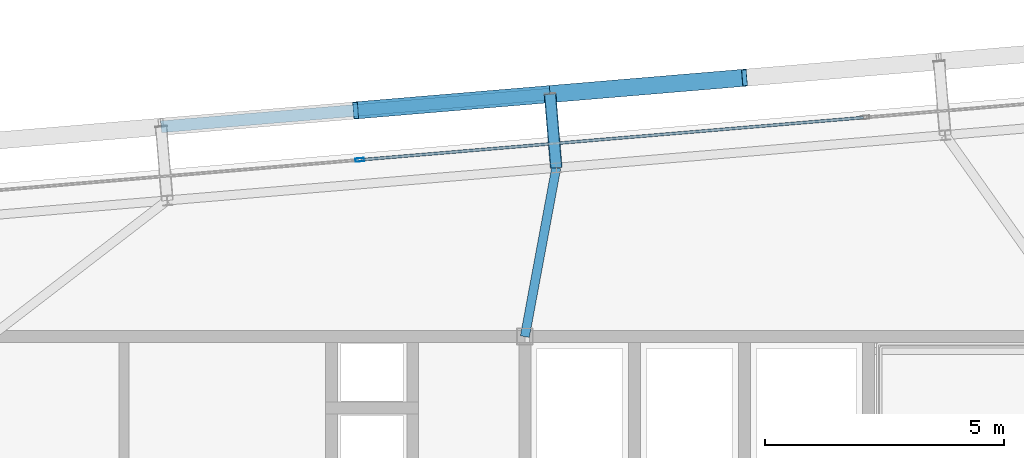
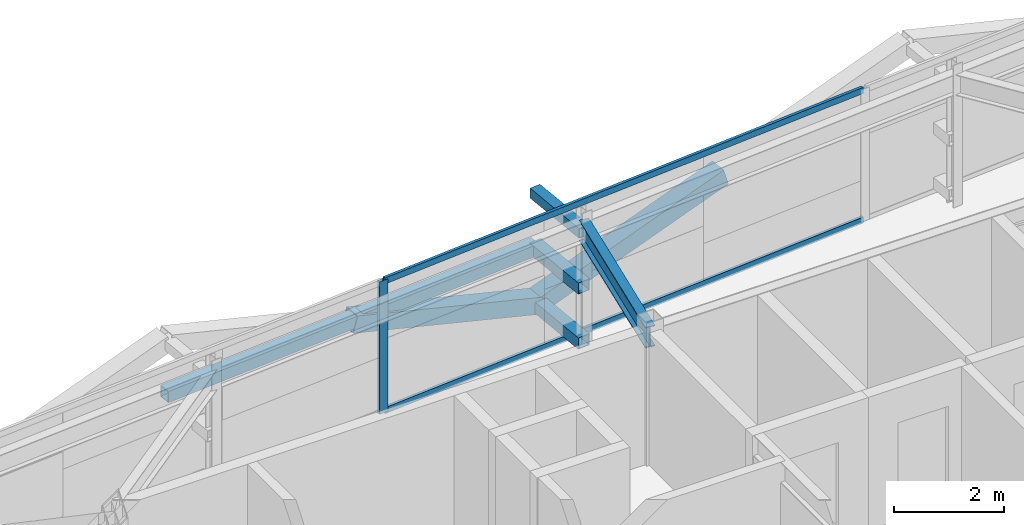
# One storey, part 23 of 39: 9 members, 1 beam, 1 element without a shape of its own.
"""IFC4 building model written with IfcOpenShell, lengths in metres."""

from ifc_helpers import new_model, si_unit, direction, frame, origin, origin_2d, place, context, subcontext, project, spatial, hollow_rectangle, i_section, extrude, source, transform, mapped, material, layer, layer_set, material_profile, profile_set, type_object, element, aggregate, save


model = new_model("IFC4")

# Units and contexts
model_context = context("Model", 3, precision=1e-05, world=origin(), true_north=direction((0.0, 1.0)))
body_context = subcontext(model_context, "Body", "Model", "MODEL_VIEW")
ifc_project = project(units=[si_unit("LENGTHUNIT", "METRE"), si_unit("AREAUNIT", "SQUARE_METRE"), si_unit("VOLUMEUNIT", "CUBIC_METRE"), si_unit("PLANEANGLEUNIT", "RADIAN"), si_unit("MASSUNIT", "GRAM", prefix="KILO")], contexts=[model_context])

# Site, building, storey
site_placement = place(None, origin())
site = spatial("IfcSite", under=ifc_project, at=site_placement, CompositionType="ELEMENT")
building_placement = place(site_placement, origin())
building = spatial("IfcBuilding", under=site, at=building_placement, Name="Taldren Reach Tower", CompositionType="ELEMENT")
storey_placement = place(building_placement, frame((0.0, 0.0, 175.699951171875)))
storey = spatial("IfcBuildingStorey", under=building, at=storey_placement, Name="L53", CompositionType="ELEMENT", Elevation=175.699951171875)

# Members
ifc_material_1 = material(Name="Steel Gr 350 (C350L0)", Category="steel")
ifc_material_profile_1 = material_profile(ifc_material_1, hollow_rectangle(XDim=0.25, YDim=0.25, WallThickness=0.010009765625, at=origin_2d()), Name="250x250x10.0SHS")
ifc_profile_set_1 = profile_set([ifc_material_profile_1], Name="Steel Gr 350 (C350L0)")
member_type_1 = type_object("IfcMemberType", Name="MB-POST250", PredefinedType="POST", material=ifc_profile_set_1)
shared_shape_1 = source(origin(), body_context, "Body", "SweptSolid", [
    extrude(hollow_rectangle(XDim=0.25, YDim=0.25, WallThickness=0.010009765625, at=origin_2d()), origin(), (0.0, 0.0, 1.0), 1.5498046875),
])
for number, where, z_axis, x_axis, name in (
    (1, (39.857666015625, 35.537109375, 0.219970703125), (-0.083645141657, 0.996495604746, 0.0), (-0.996495604746, -0.083645141657, 0.0), "Exoskeleton base diaphragm tie strut B4-N4 L53"),
    (2, (39.857666015625, 35.537109375, 1.43505859375), (-0.083645141657, 0.996495604746, 0.0), (-0.996495604746, -0.083645141657, 0.0), "Exoskeleton mid-tier diaphragm tie B4-N4 L53"),
):
    element("IfcMember", number, at=place(storey_placement, frame(where, z_axis=z_axis, x_axis=x_axis)), inside=storey, type_object=member_type_1, Name=name, PredefinedType="POST", context=body_context, shape_type="MappedRepresentation", body=[
        mapped(shared_shape_1, transform((0.0, 0.0, 0.0), scale=1.0)),
    ])

# Beam
ifc_material_2 = material(Name="Steel Gr 350 (350PLUS)", Category="steel")
ifc_material_profile_2 = material_profile(ifc_material_2, i_section(OverallWidth=0.19091796875, OverallDepth=0.4599609375, WebThickness=0.010009765625, FlangeThickness=0.01611328125, at=origin_2d()), Name="460UB82.1")
ifc_profile_set_2 = profile_set([ifc_material_profile_2], Name="Steel Gr 350 (350PLUS)")
beam_type = type_object("IfcBeamType", Name="BM-UB460A", PredefinedType="BEAM", material=ifc_profile_set_2)
shared_shape_2 = source(origin(), body_context, "Body", "SweptSolid", [
    extrude(i_section(OverallWidth=0.19091796875, OverallDepth=0.4599609375, WebThickness=0.010009765625, FlangeThickness=0.01611328125, at=origin_2d()), origin(), (0.0, 0.0, 1.0), 3.59765625),
])
beam_placement = place(storey_placement, frame((39.199951171875, 32.0, 2.699951171875), z_axis=(0.182813344882, 0.983147639438, 0.0), x_axis=(-0.983147639438, 0.182813344882, 0.0)))
element("IfcBeam", 3, at=beam_placement, inside=storey, type_object=beam_type, Name="Primary floor girder B4-N4 L53", PredefinedType="BEAM", context=body_context, shape_type="MappedRepresentation", body=[
    mapped(shared_shape_2, transform((0.0, 0.0, 0.0), scale=1.0)),
])

# Members
ifc_material_3 = material(Name="Steel Gr 450 (C450L0)", Category="steel")
ifc_material_profile_3 = material_profile(ifc_material_3, hollow_rectangle(XDim=0.219970703125, YDim=0.219970703125, WallThickness=0.00830078125, at=origin_2d()), Name="220x220x8.2SHS")
ifc_profile_set_3 = profile_set([ifc_material_profile_3], Name="Steel Gr 450 (C450L0)")
member_type_2 = type_object("IfcMemberType", Name="MB-TIE219", PredefinedType="STRUT", material=ifc_profile_set_3)
shared_shape_3 = source(origin(), body_context, "Body", "SweptSolid", [
    extrude(hollow_rectangle(XDim=0.219970703125, YDim=0.219970703125, WallThickness=0.00830078125, at=origin_2d()), origin(), (0.0, 0.0, 1.0), 1.5498046875),
])
member_1_placement = place(storey_placement, frame((39.857666015625, 35.537109375, 2.650146484375), z_axis=(-0.083645141657, 0.996495604746, 0.0), x_axis=(-0.996495604746, -0.083645141657, 0.0)))
element("IfcMember", 4, at=member_1_placement, inside=storey, type_object=member_type_2, Name="Exoskeleton diaphragm tie strut B4-N4 L53", PredefinedType="STRUT", context=body_context, shape_type="MappedRepresentation", body=[
    mapped(shared_shape_3, transform((0.0, 0.0, 0.0), scale=1.0)),
])
shared_shape_4 = source(origin(), body_context, "Body", "SweptSolid", [
    extrude(hollow_rectangle(XDim=0.25, YDim=0.25, WallThickness=0.010009765625, at=origin_2d()), origin(), (0.0, 0.0, 1.0), 8.18017578125),
])
member_2_placement = place(storey_placement, frame((31.57666015625, 36.39697265625, 1.43505859375), z_axis=(0.996492034688, 0.083687662192, 0.0), x_axis=(-0.083687662192, 0.996492034688, 0.0)))
element("IfcMember", 5, at=member_2_placement, inside=storey, type_object=member_type_1, Name="Exoskeleton mid-height ring chord B4-N3 L53", PredefinedType="POST", context=body_context, shape_type="MappedRepresentation", body=[
    mapped(shared_shape_4, transform((0.0, 0.0, 0.0), scale=1.0)),
])
ifc_material_profile_4 = material_profile(ifc_material_3, hollow_rectangle(XDim=0.360107421875, YDim=0.360107421875, WallThickness=0.0126953125, at=origin_2d()), Name="360x360x12.7SHS")
ifc_profile_set_4 = profile_set([ifc_material_profile_4], Name="Steel Gr 450 (C450L0)")
member_type_3 = type_object("IfcMemberType", Name="MB-EXO356", PredefinedType="BRACE", material=ifc_profile_set_4)
shared_shape_5 = source(origin(), body_context, "Body", "SweptSolid", [
    extrude(hollow_rectangle(XDim=0.360107421875, YDim=0.360107421875, WallThickness=0.0126953125, at=origin_2d()), origin(), (0.0, 0.0, 1.0), 4.2666015625),
])
for number, where, z_axis, x_axis, name in (
    (6, (39.72802734375, 37.08154296875, 0.219970703125), (-0.955229159097, -0.080222312271, 0.284783486572), (0.083687662192, -0.996492034688, 0.0), "Exoskeleton Diagrid Brace B4-N3 L53"),
    (7, (39.72802734375, 37.08154296875, 0.219970703125), (0.955229159097, 0.080222312271, 0.284783486572), (-0.083687662192, 0.996492034688, 0.0), "Exoskeleton Diagrid Brace B4-N4 L53"),
):
    element("IfcMember", number, at=place(storey_placement, frame(where, z_axis=z_axis, x_axis=x_axis)), inside=storey, type_object=member_type_3, Name=name, PredefinedType="BRACE", context=body_context, shape_type="MappedRepresentation", body=[
        mapped(shared_shape_5, transform((0.0, 0.0, 0.0), scale=1.0)),
    ])

# Curtain wall, members
ifc_material_4 = material(Name="Aluminium and Low-E Glass Unitised System", Category="aluminium")
ifc_layer = layer(ifc_material_4, 0.159912109375)
ifc_layer_set = layer_set([ifc_layer], Name="Aluminium and Low-E Glass Unitised System")
curtain_wall_type = type_object("IfcCurtainWallType", Name="CW-SYS-5", PredefinedType="NOTDEFINED", material=ifc_layer_set)
curtain_wall_placement = place(storey_placement, origin())
curtain_wall = element("IfcCurtainWall", 8, at=curtain_wall_placement, inside=storey, type_object=curtain_wall_type, Name="Unitised curtain wall CW-L53-N", PredefinedType="NOTDEFINED")
ifc_material_5 = material(Name="Anodised Aluminium 6063-T6", Category="aluminium")
ifc_material_profile_5 = material_profile(ifc_material_5, hollow_rectangle(XDim=0.070068359375, YDim=0.179931640625, WallThickness=0.00390625, at=origin_2d()), Name="ALU-180x70x4RHS")
ifc_profile_set_5 = profile_set([ifc_material_profile_5], Name="Anodised Aluminium 6063-T6")
member_type_4 = type_object("IfcMemberType", Name="CW-MUL-180", PredefinedType="MULLION", material=ifc_profile_set_5)
shared_shape_6 = source(origin(), body_context, "Body", "SweptSolid", [
    extrude(hollow_rectangle(XDim=0.070068359375, YDim=0.179931640625, WallThickness=0.00390625, at=origin_2d()), origin(), (0.0, 0.0, 1.0), 2.929931640625),
])
member_3_placement = place(storey_placement, frame((35.739501953125, 35.702880859375, 0.0), z_axis=(0.0, 0.0, 1.0), x_axis=(0.083677875247, -0.99649285657, 0.0)))
member_3 = element("IfcMember", 9, at=member_3_placement, type_object=member_type_4, Name="CW-5 mullion 3", PredefinedType="MULLION", context=body_context, shape_type="MappedRepresentation", body=[
    mapped(shared_shape_6, transform((0.0, 0.0, 0.0), scale=1.0)),
])
ifc_material_profile_6 = material_profile(ifc_material_5, hollow_rectangle(XDim=0.06005859375, YDim=0.135009765625, WallThickness=0.00341796875, at=origin_2d()), Name="ALU-135x60x3.5RHS")
ifc_profile_set_6 = profile_set([ifc_material_profile_6], Name="Anodised Aluminium 6063-T6")
member_type_5 = type_object("IfcMemberType", Name="CW-TRN-150", PredefinedType="USERDEFINED", material=ifc_profile_set_6)
shared_shape_7 = source(origin(), body_context, "Body", "SweptSolid", [
    extrude(hollow_rectangle(XDim=0.06005859375, YDim=0.135009765625, WallThickness=0.00341796875, at=origin_2d()), origin(), (0.0, 0.0, 1.0), 10.55517578125),
])
member_4_placement = place(storey_placement, frame((46.292236328125, 36.589111328125, 0.030029296875), z_axis=(-0.996492274094, -0.083684811468, 0.0), x_axis=(0.083684811468, -0.996492274094, 0.0)))
member_4 = element("IfcMember", 10, at=member_4_placement, type_object=member_type_5, Name="CW-5 transom 2.1", ObjectType="TRANSOM", PredefinedType="USERDEFINED", context=body_context, shape_type="MappedRepresentation", body=[
    mapped(shared_shape_7, transform((0.0, 0.0, 0.0), scale=1.0)),
])
member_5_placement = place(storey_placement, frame((46.292236328125, 36.589111328125, 2.900146484375), z_axis=(-0.996492274094, -0.083684811468, 0.0), x_axis=(0.083684811468, -0.996492274094, 0.0)))
member_5 = element("IfcMember", 11, at=member_5_placement, type_object=member_type_5, Name="CW-5 transom 2.2", ObjectType="TRANSOM", PredefinedType="USERDEFINED", context=body_context, shape_type="MappedRepresentation", body=[
    mapped(shared_shape_7, transform((0.0, 0.0, 0.0), scale=1.0)),
])
aggregate(curtain_wall, [member_3, member_4, member_5])

save(model, "model.ifc")
